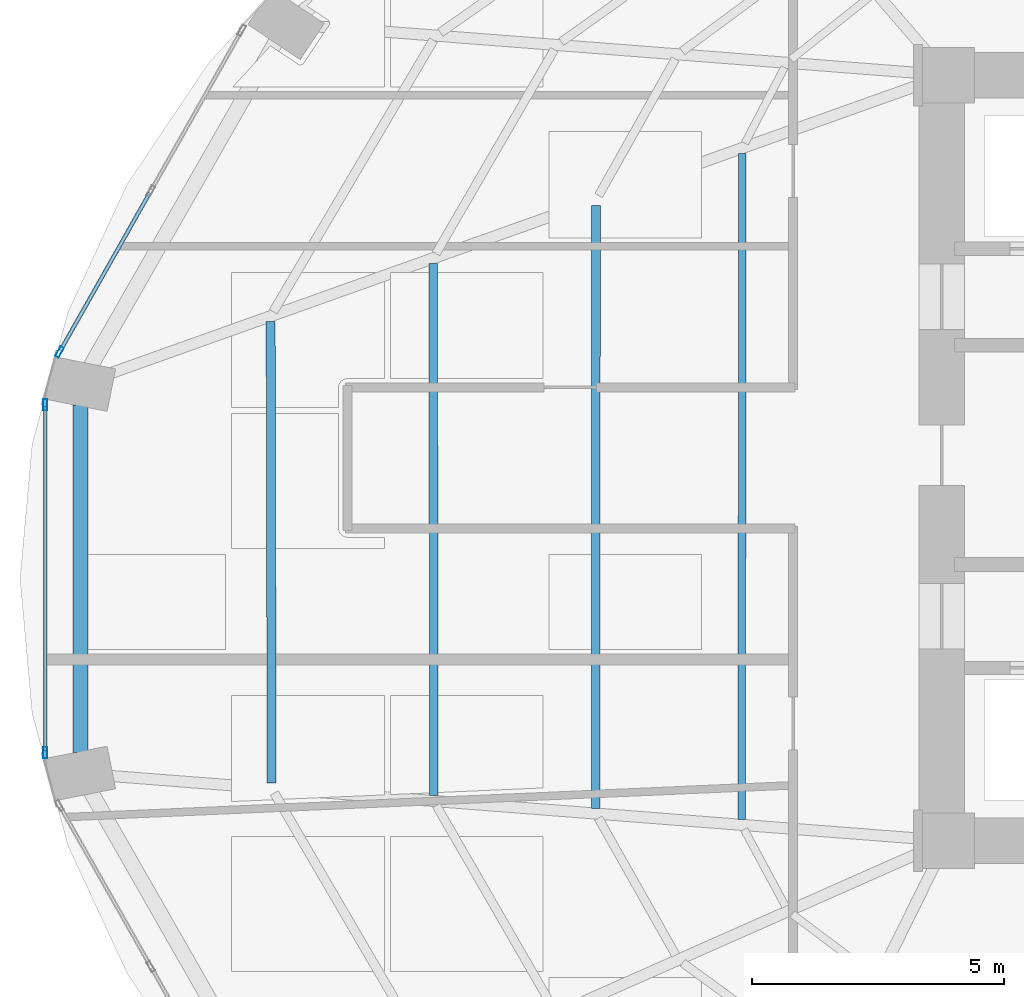
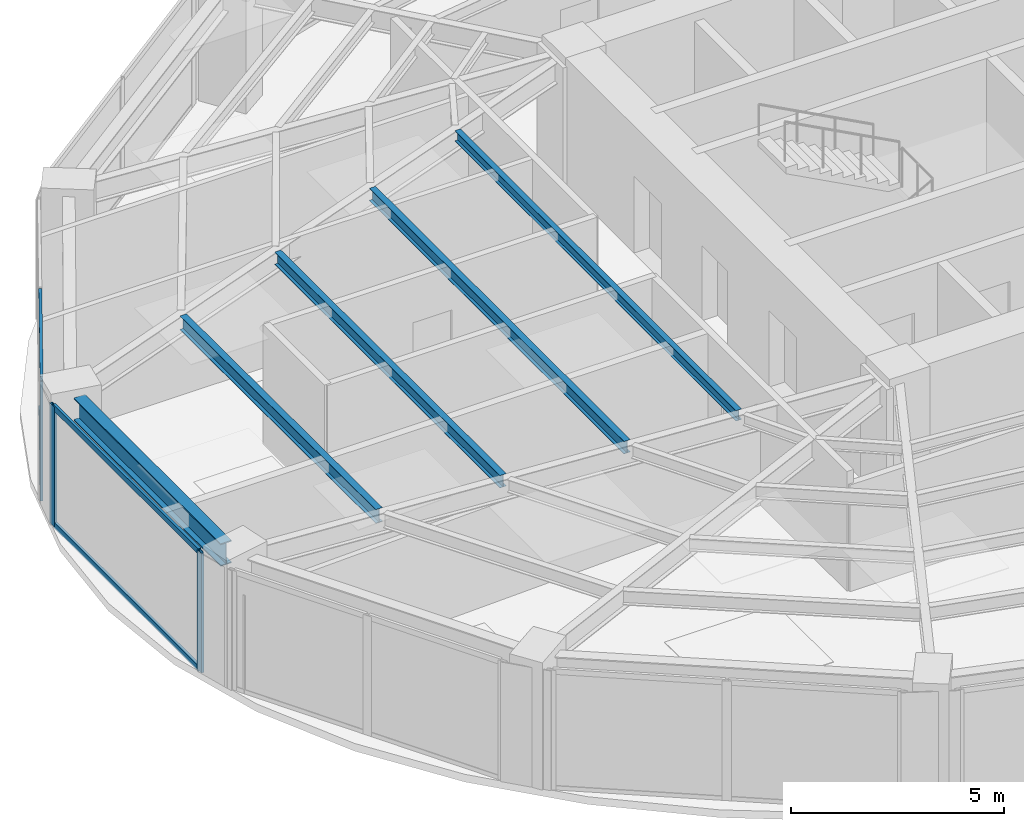
# One storey, part 7 of 24: 7 members, 5 beams, 2 elements without a shape of their own.
"""IFC4 building model written with IfcOpenShell, lengths in metres."""

from ifc_helpers import new_model, si_unit, direction, frame, origin, origin_2d, place, context, subcontext, project, spatial, hollow_rectangle, i_section, extrude, material, layer, layer_set, material_profile, profile_set, type_object, element, aggregate, save


model = new_model("IFC4")

# Units and contexts
model_context = context("Model", 3, precision=1e-05, world=origin(), true_north=direction((0.0, 1.0)))
body_context = subcontext(model_context, "Body", "Model", "MODEL_VIEW")
ifc_project = project(units=[si_unit("LENGTHUNIT", "METRE"), si_unit("AREAUNIT", "SQUARE_METRE"), si_unit("VOLUMEUNIT", "CUBIC_METRE"), si_unit("PLANEANGLEUNIT", "RADIAN"), si_unit("MASSUNIT", "GRAM", prefix="KILO")], contexts=[model_context])

# Site, building, storey
site_placement = place(None, origin())
site = spatial("IfcSite", under=ifc_project, at=site_placement, CompositionType="ELEMENT")
building_placement = place(site_placement, origin())
building = spatial("IfcBuilding", under=site, at=building_placement, Name="Lazwardi Medical Tower", CompositionType="ELEMENT")
storey_placement = place(building_placement, frame((0.0, 0.0, 39.7919921875)))
storey = spatial("IfcBuildingStorey", under=building, at=storey_placement, Name="L09", CompositionType="ELEMENT", Elevation=39.7919921875)

# Beams
ifc_material_1 = material(Name="Steel S355", Category="steel")
ifc_material_profile_1 = material_profile(ifc_material_1, i_section(OverallWidth=0.300048828125, OverallDepth=0.64990234375, WebThickness=0.01611328125, FlangeThickness=0.031005859375, at=origin_2d()), Name="HEB 650")
ifc_profile_set_1 = profile_set([ifc_material_profile_1], Name="Steel S355")
beam_type_1 = type_object("IfcBeamType", Name="BM-RB-Z1", PredefinedType="BEAM", material=ifc_profile_set_1)
beam_1_placement = place(storey_placement, frame((9.199951171875, 29.047607421875, 3.10302734375), z_axis=(0.0, -1.0, 0.0), x_axis=(1.0, 0.0, 0.0)))
element("IfcBeam", 1, at=beam_1_placement, inside=storey, type_object=beam_type_1, Name="Ring beam RB-02 B12 L09", PredefinedType="BEAM", context=body_context, shape_type="SweptSolid", body=[
    extrude(i_section(OverallWidth=0.300048828125, OverallDepth=0.64990234375, WebThickness=0.01611328125, FlangeThickness=0.031005859375, at=origin_2d()), origin(), (0.0, 0.0, 1.0), 6.895263671875),
])
ifc_material_profile_2 = material_profile(ifc_material_1, i_section(OverallWidth=0.179931640625, OverallDepth=0.39990234375, WebThickness=0.008544921875, FlangeThickness=0.013427734375, at=origin_2d()), Name="IPE 400")
ifc_profile_set_2 = profile_set([ifc_material_profile_2], Name="Steel S355")
beam_type_2 = type_object("IfcBeamType", Name="BM-SJ-01", PredefinedType="JOIST", material=ifc_profile_set_2)
beam_2_placement = place(storey_placement, frame((12.9765625, 30.708984375, 3.22802734375), z_axis=(0.002077613181, -0.999997841759, 0.0), x_axis=(0.999997841759, 0.002077613181, 0.0)))
element("IfcBeam", 2, at=beam_2_placement, inside=storey, type_object=beam_type_2, Name="Secondary joist SJ-01 R1 B12 L09", PredefinedType="JOIST", context=body_context, shape_type="SweptSolid", body=[
    extrude(i_section(OverallWidth=0.179931640625, OverallDepth=0.39990234375, WebThickness=0.008544921875, FlangeThickness=0.013427734375, at=origin_2d()), origin(), (0.0, 0.0, 1.0), 9.165771484375),
])
ifc_material_profile_3 = material_profile(ifc_material_1, i_section(OverallWidth=0.169921875, OverallDepth=0.360107421875, WebThickness=0.008056640625, FlangeThickness=0.0126953125, at=origin_2d()), Name="IPE 360")
ifc_profile_set_3 = profile_set([ifc_material_profile_3], Name="Steel S355")
beam_type_3 = type_object("IfcBeamType", Name="BM-SJ-02", PredefinedType="JOIST", material=ifc_profile_set_3)
beam_3_placement = place(storey_placement, frame((16.206298828125, 31.860595703125, 3.248046875), z_axis=(0.000670039821, -0.999999775523, 0.0), x_axis=(0.999999775523, 0.000670039821, 0.0)))
element("IfcBeam", 3, at=beam_3_placement, inside=storey, type_object=beam_type_3, Name="Secondary joist SJ-02 R2 B12 L09", PredefinedType="JOIST", context=body_context, shape_type="SweptSolid", body=[
    extrude(i_section(OverallWidth=0.169921875, OverallDepth=0.360107421875, WebThickness=0.008056640625, FlangeThickness=0.0126953125, at=origin_2d()), origin(), (0.0, 0.0, 1.0), 10.566650390625),
])
beam_4_placement = place(storey_placement, frame((19.43603515625, 33.01220703125, 3.248046875), z_axis=(-0.000387612685, -0.999999924878, 0.0), x_axis=(0.999999924878, -0.000387612685, 0.0)))
element("IfcBeam", 4, at=beam_4_placement, inside=storey, type_object=beam_type_3, Name="Secondary joist SJ-02 R3 B12 L09", PredefinedType="JOIST", context=body_context, shape_type="SweptSolid", body=[
    extrude(i_section(OverallWidth=0.169921875, OverallDepth=0.360107421875, WebThickness=0.008056640625, FlangeThickness=0.0126953125, at=origin_2d()), origin(), (0.0, 0.0, 1.0), 11.96728515625),
])
ifc_material_profile_4 = material_profile(ifc_material_1, i_section(OverallWidth=0.14990234375, OverallDepth=0.300048828125, WebThickness=0.007080078125, FlangeThickness=0.0107421875, at=origin_2d()), Name="IPE 300")
ifc_profile_set_4 = profile_set([ifc_material_profile_4], Name="Steel S355")
beam_type_4 = type_object("IfcBeamType", Name="BM-SJ-03", PredefinedType="JOIST", material=ifc_profile_set_4)
beam_5_placement = place(storey_placement, frame((22.343017578125, 34.048583984375, 3.278076171875), z_axis=(-0.001181203266, -0.999999302379, 0.0), x_axis=(0.999999302379, -0.001181203266, 0.0)))
element("IfcBeam", 5, at=beam_5_placement, inside=storey, type_object=beam_type_4, Name="Secondary joist SJ-03 R4 B12 L09", PredefinedType="JOIST", context=body_context, shape_type="SweptSolid", body=[
    extrude(i_section(OverallWidth=0.14990234375, OverallDepth=0.300048828125, WebThickness=0.007080078125, FlangeThickness=0.0107421875, at=origin_2d()), origin(), (0.0, 0.0, 1.0), 13.22802734375),
])

# Curtain wall, member
ifc_material_2 = material(Name="Anodised bronze aluminium and solar control glazing", Category="aluminium")
ifc_layer = layer(ifc_material_2, 0.199951171875)
ifc_layer_set = layer_set([ifc_layer], Name="Anodised bronze aluminium and solar control glazing")
curtain_wall_type = type_object("IfcCurtainWallType", Name="CW-SYS-02", PredefinedType="NOTDEFINED", material=ifc_layer_set)
curtain_wall_1_placement = place(storey_placement, origin())
curtain_wall_1 = element("IfcCurtainWall", 6, at=curtain_wall_1_placement, inside=storey, type_object=curtain_wall_type, Name="L09 Unitised bronze curtain wall CW-02", PredefinedType="NOTDEFINED")
ifc_material_3 = material(Name="Anodised bronze aluminium", Category="aluminium")
ifc_material_profile_5 = material_profile(ifc_material_3, hollow_rectangle(XDim=0.074951171875, YDim=0.219970703125, WallThickness=0.00390625, at=origin_2d()), Name="ALU-MULLION 220x75x4")
ifc_profile_set_5 = profile_set([ifc_material_profile_5], Name="Anodised bronze aluminium")
member_type_1 = type_object("IfcMemberType", Name="CW-MUL-01", PredefinedType="MULLION", material=ifc_profile_set_5)
member_1_placement = place(storey_placement, frame((8.785888671875, 30.102294921875, 0.0), z_axis=(0.0, 0.0, 1.0), x_axis=(0.870111838823, -0.492854327303, 0.0)))
member_1 = element("IfcMember", 7, at=member_1_placement, type_object=member_type_1, Name="CW-02 mullion 3", PredefinedType="MULLION", context=body_context, shape_type="SweptSolid", body=[
    extrude(hollow_rectangle(XDim=0.074951171875, YDim=0.219970703125, WallThickness=0.00390625, at=origin_2d()), origin(), (0.0, 0.0, 1.0), 3.427978515625),
])

# Curtain wall, members
curtain_wall_2_placement = place(storey_placement, origin())
curtain_wall_2 = element("IfcCurtainWall", 8, at=curtain_wall_2_placement, inside=storey, type_object=curtain_wall_type, Name="L09 Unitised bronze curtain wall CW-02", PredefinedType="NOTDEFINED")
member_2_placement = place(storey_placement, frame((8.50146484375, 29.053955078125, 0.0), z_axis=(0.0, 0.0, 1.0), x_axis=(1.0, 0.0, 0.0)))
member_2 = element("IfcMember", 9, at=member_2_placement, type_object=member_type_1, Name="CW-02 mullion 1", PredefinedType="MULLION", context=body_context, shape_type="SweptSolid", body=[
    extrude(hollow_rectangle(XDim=0.074951171875, YDim=0.219970703125, WallThickness=0.00390625, at=origin_2d()), origin(), (0.0, 0.0, 1.0), 3.427978515625),
])
member_3_placement = place(storey_placement, frame((8.50146484375, 22.14599609375, 0.0), z_axis=(0.0, 0.0, 1.0), x_axis=(1.0, 0.0, 0.0)))
member_3 = element("IfcMember", 10, at=member_3_placement, type_object=member_type_1, Name="CW-02 mullion 2", PredefinedType="MULLION", context=body_context, shape_type="SweptSolid", body=[
    extrude(hollow_rectangle(XDim=0.074951171875, YDim=0.219970703125, WallThickness=0.00390625, at=origin_2d()), origin(), (0.0, 0.0, 1.0), 3.427978515625),
])

# Member
ifc_material_profile_6 = material_profile(ifc_material_3, hollow_rectangle(XDim=0.074951171875, YDim=0.159912109375, WallThickness=0.00390625, at=origin_2d()), Name="ALU-TRANSOM 160x75x4")
ifc_profile_set_6 = profile_set([ifc_material_profile_6], Name="Anodised bronze aluminium")
member_type_2 = type_object("IfcMemberType", Name="CW-TRN-01", PredefinedType="USERDEFINED", material=ifc_profile_set_6)
member_4_placement = place(storey_placement, frame((10.576171875, 33.262939453125, 0.03759765625), z_axis=(-0.49285148925, -0.870113446365, 0.0), x_axis=(0.870113446365, -0.49285148925, 0.0)))
member_4 = element("IfcMember", 11, at=member_4_placement, type_object=member_type_2, Name="CW-02 transom 2.1", ObjectType="TRANSOM", PredefinedType="USERDEFINED", context=body_context, shape_type="SweptSolid", body=[
    extrude(hollow_rectangle(XDim=0.074951171875, YDim=0.159912109375, WallThickness=0.00390625, at=origin_2d()), origin(), (0.0, 0.0, 1.0), 3.594970703125),
])

member_5_placement = place(storey_placement, frame((10.576171875, 33.262939453125, 3.390625), z_axis=(-0.49285148925, -0.870113446365, 0.0), x_axis=(0.870113446365, -0.49285148925, 0.0)))
member_5 = element("IfcMember", 12, at=member_5_placement, type_object=member_type_2, Name="CW-02 transom 2.2", ObjectType="TRANSOM", PredefinedType="USERDEFINED", context=body_context, shape_type="SweptSolid", body=[
    extrude(hollow_rectangle(XDim=0.074951171875, YDim=0.159912109375, WallThickness=0.00390625, at=origin_2d()), origin(), (0.0, 0.0, 1.0), 3.594970703125),
])

aggregate(curtain_wall_1, [member_1, member_4, member_5])

member_6_placement = place(storey_placement, frame((8.50146484375, 29.0166015625, 0.03759765625), z_axis=(0.0, -1.0, 0.0), x_axis=(1.0, 0.0, 0.0)))
member_6 = element("IfcMember", 13, at=member_6_placement, type_object=member_type_2, Name="CW-02 transom 1.1", ObjectType="TRANSOM", PredefinedType="USERDEFINED", context=body_context, shape_type="SweptSolid", body=[
    extrude(hollow_rectangle(XDim=0.074951171875, YDim=0.159912109375, WallThickness=0.00390625, at=origin_2d()), origin(), (0.0, 0.0, 1.0), 6.8330078125),
])

member_7_placement = place(storey_placement, frame((8.50146484375, 29.0166015625, 3.390625), z_axis=(0.0, -1.0, 0.0), x_axis=(1.0, 0.0, 0.0)))
member_7 = element("IfcMember", 14, at=member_7_placement, type_object=member_type_2, Name="CW-02 transom 1.2", ObjectType="TRANSOM", PredefinedType="USERDEFINED", context=body_context, shape_type="SweptSolid", body=[
    extrude(hollow_rectangle(XDim=0.074951171875, YDim=0.159912109375, WallThickness=0.00390625, at=origin_2d()), origin(), (0.0, 0.0, 1.0), 6.8330078125),
])

aggregate(curtain_wall_2, [member_2, member_3, member_6, member_7])

save(model, "model.ifc")
